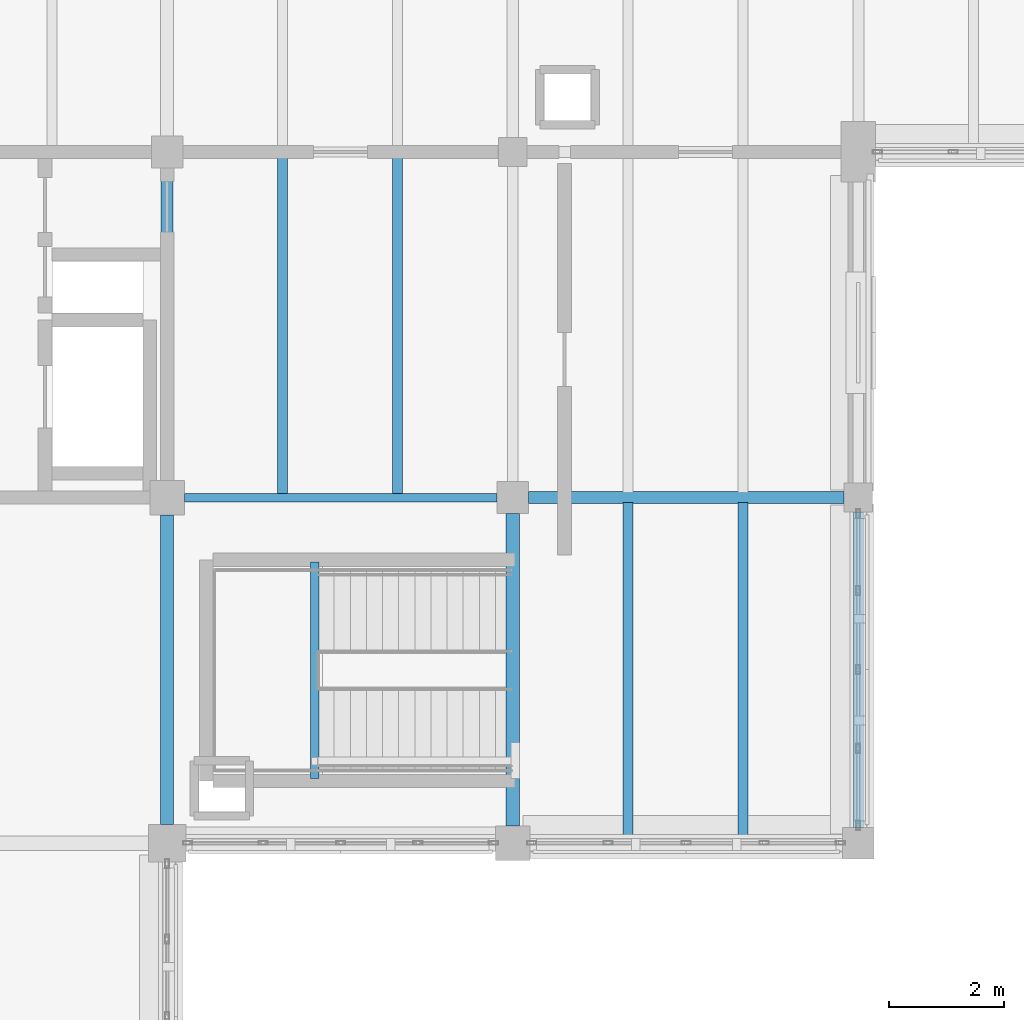
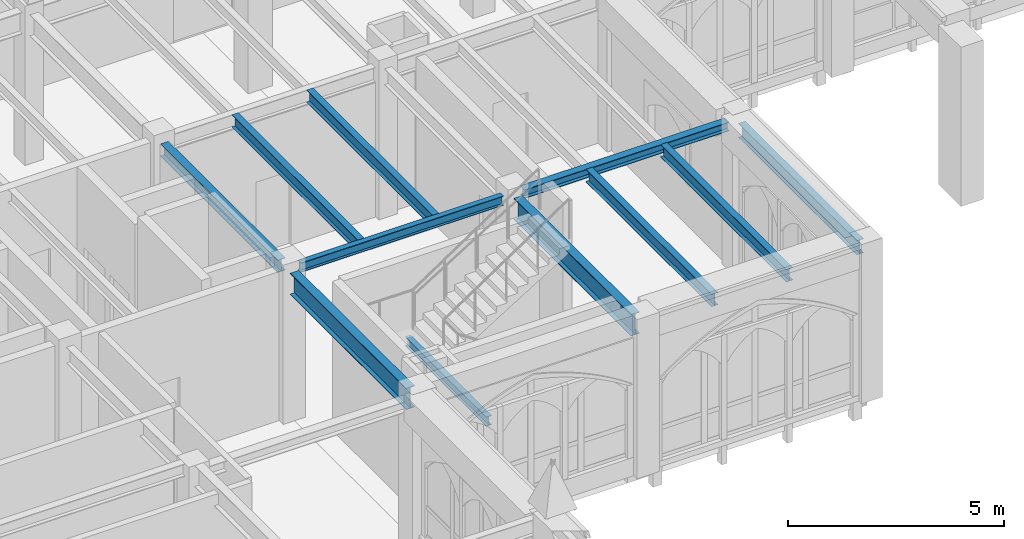
# One storey, part 48 of 143: 11 beams.
"""IFC4 building model written with IfcOpenShell, lengths in metres."""

from ifc_helpers import new_model, si_unit, direction, frame, origin, origin_2d, place, context, subcontext, project, spatial, i_section, extrude, material, material_profile, profile_set, type_object, element, save


model = new_model("IFC4")

# Units and contexts
model_context = context("Model", 3, precision=1e-05, world=origin(), true_north=direction((0.0, 1.0)))
body_context = subcontext(model_context, "Body", "Model", "MODEL_VIEW")
ifc_project = project(units=[si_unit("LENGTHUNIT", "METRE"), si_unit("AREAUNIT", "SQUARE_METRE"), si_unit("VOLUMEUNIT", "CUBIC_METRE"), si_unit("PLANEANGLEUNIT", "RADIAN"), si_unit("MASSUNIT", "GRAM", prefix="KILO")], contexts=[model_context])

# Site, building, storey
site_placement = place(None, origin())
site = spatial("IfcSite", under=ifc_project, at=site_placement, CompositionType="ELEMENT")
building_placement = place(site_placement, origin())
building = spatial("IfcBuilding", under=site, at=building_placement, Name="Cumevento Cable Car Station", CompositionType="ELEMENT")
storey_placement = place(building_placement, frame((0.0, 0.0, 9.0)))
storey = spatial("IfcBuildingStorey", under=building, at=storey_placement, Name="L03", CompositionType="ELEMENT", Elevation=9.0)

# Beams
ifc_material_1 = material(Name="Steel ASTM A572 Grade 50", Category="steel")
ifc_material_profile_1 = material_profile(ifc_material_1, i_section(OverallWidth=0.22802734375, OverallDepth=0.60791015625, WebThickness=0.01123046875, FlangeThickness=0.017333984375, at=origin_2d()), Name="W610x113.0")
ifc_profile_set_1 = profile_set([ifc_material_profile_1], Name="Steel ASTM A572 Grade 50")
beam_type_1 = type_object("IfcBeamType", Name="Structural Beam BM-02 W610x113.0", PredefinedType="BEAM", material=ifc_profile_set_1)
beam_1_placement = place(storey_placement, frame((70.0, 33.324951171875, 3.912109375), z_axis=(0.0, 1.0, 0.0), x_axis=(-1.0, 0.0, 0.0)))
element("IfcBeam", 1, at=beam_1_placement, inside=storey, type_object=beam_type_1, Name="Beam BM-02 L03 #988", PredefinedType="BEAM", context=body_context, shape_type="SweptSolid", body=[
    extrude(i_section(OverallWidth=0.22802734375, OverallDepth=0.60791015625, WebThickness=0.01123046875, FlangeThickness=0.017333984375, at=origin_2d()), origin(), (0.0, 0.0, 1.0), 5.375),
])
beam_2_placement = place(storey_placement, frame((76.0, 33.300048828125, 3.912109375), z_axis=(0.0, 1.0, 0.0), x_axis=(-1.0, 0.0, 0.0)))
element("IfcBeam", 2, at=beam_2_placement, inside=storey, type_object=beam_type_1, Name="Beam BM-02 L03 #1000", PredefinedType="BEAM", context=body_context, shape_type="SweptSolid", body=[
    extrude(i_section(OverallWidth=0.22802734375, OverallDepth=0.60791015625, WebThickness=0.01123046875, FlangeThickness=0.017333984375, at=origin_2d()), origin(), (0.0, 0.0, 1.0), 5.425048828125),
])
ifc_material_2 = material(Name="Steel ASTM A572 Grade 50", Category="steel")
ifc_material_profile_2 = material_profile(ifc_material_2, i_section(OverallWidth=0.205078125, OverallDepth=0.35400390625, WebThickness=0.009521484375, FlangeThickness=0.016845703125, at=origin_2d()), Name="W360x79.0")
ifc_profile_set_2 = profile_set([ifc_material_profile_2], Name="Steel ASTM A572 Grade 50")
beam_type_2 = type_object("IfcBeamType", Name="Structural Beam BM-05 W360x79.0", PredefinedType="BEAM", material=ifc_profile_set_2)
beam_3_placement = place(storey_placement, frame((70.0, 39.300048828125, 4.0390625), z_axis=(0.0, 1.0, 0.0), x_axis=(-1.0, 0.0, 0.0)))
element("IfcBeam", 3, at=beam_3_placement, inside=storey, type_object=beam_type_2, Name="Beam BM-05 L03 #993", PredefinedType="BEAM", context=body_context, shape_type="SweptSolid", body=[
    extrude(i_section(OverallWidth=0.205078125, OverallDepth=0.35400390625, WebThickness=0.009521484375, FlangeThickness=0.016845703125, at=origin_2d()), origin(), (0.0, 0.0, 1.0), 5.425048828125),
])
ifc_material_3 = material(Name="Steel ASTM A572 Grade 50", Category="steel")
ifc_material_profile_3 = material_profile(ifc_material_3, i_section(OverallWidth=0.14794921875, OverallDepth=0.26611328125, WebThickness=0.007568359375, FlangeThickness=0.012939453125, at=origin_2d()), Name="W250x44.8")
ifc_profile_set_3 = profile_set([ifc_material_profile_3], Name="Steel ASTM A572 Grade 50")
beam_type_3 = type_object("IfcBeamType", Name="Structural Beam BM-07 W250x44.8", PredefinedType="BEAM", material=ifc_profile_set_3)
beam_4_placement = place(storey_placement, frame((70.300048828125, 39.0, 4.0830078125), z_axis=(1.0, 0.0, 0.0), x_axis=(0.0, 1.0, 0.0)))
element("IfcBeam", 4, at=beam_4_placement, inside=storey, type_object=beam_type_3, Name="Beam BM-07 L03 #996", PredefinedType="BEAM", context=body_context, shape_type="SweptSolid", body=[
    extrude(i_section(OverallWidth=0.14794921875, OverallDepth=0.26611328125, WebThickness=0.007568359375, FlangeThickness=0.012939453125, at=origin_2d()), origin(), (0.0, 0.0, 1.0), 5.425048828125),
])
beam_5_placement = place(storey_placement, frame((72.56005859375, 34.1201171875, 1.8779296875), z_axis=(0.0, 1.0, 0.0), x_axis=(-1.0, 0.0, 0.0)))
element("IfcBeam", 5, at=beam_5_placement, inside=storey, type_object=beam_type_3, Name="Stair Half-Landing Trimmer ST-11", PredefinedType="BEAM", context=body_context, shape_type="SweptSolid", body=[
    extrude(i_section(OverallWidth=0.14794921875, OverallDepth=0.26611328125, WebThickness=0.007568359375, FlangeThickness=0.012939453125, at=origin_2d()), origin(), (0.0, 0.0, 1.0), 3.759765625),
])
ifc_material_4 = material(Name="Steel ASTM A572 Grade 50", Category="steel")
ifc_material_profile_4 = material_profile(ifc_material_4, i_section(OverallWidth=0.202880859375, OverallDepth=0.251953125, WebThickness=0.008056640625, FlangeThickness=0.013427734375, at=origin_2d()), Name="W250x58.0")
ifc_profile_set_4 = profile_set([ifc_material_profile_4], Name="Steel ASTM A572 Grade 50")
beam_type_4 = type_object("IfcBeamType", Name="Structural Beam BM-08 W250x58.0", PredefinedType="BEAM", material=ifc_profile_set_4)
beam_6_placement = place(storey_placement, frame((76.27490234375, 39.0, 4.090087890625), z_axis=(1.0, 0.0, 0.0), x_axis=(0.0, 1.0, 0.0)))
element("IfcBeam", 6, at=beam_6_placement, inside=storey, type_object=beam_type_4, Name="Beam BM-08 L03 #997", PredefinedType="BEAM", context=body_context, shape_type="SweptSolid", body=[
    extrude(i_section(OverallWidth=0.202880859375, OverallDepth=0.251953125, WebThickness=0.008056640625, FlangeThickness=0.013427734375, at=origin_2d()), origin(), (0.0, 0.0, 1.0), 5.47509765625),
])
ifc_material_5 = material(Name="Steel ASTM A572 Grade 50", Category="steel")
ifc_material_profile_5 = material_profile(ifc_material_5, i_section(OverallWidth=0.1708984375, OverallDepth=0.35498046875, WebThickness=0.007080078125, FlangeThickness=0.01171875, at=origin_2d()), Name="W360x51.0")
ifc_profile_set_5 = profile_set([ifc_material_profile_5], Name="Steel ASTM A572 Grade 50")
beam_type_5 = type_object("IfcBeamType", Name="Structural Joist JS-01 W360x51.0", PredefinedType="JOIST", material=ifc_profile_set_5)
for number, where, z_axis, x_axis, name in (
    (7, (72.0, 39.06201171875, 4.03857421875), (0.0, 1.0, 0.0), (-1.0, 0.0, 0.0), "Composite Floor Joist JS-01 L03 #1203"),
    (8, (74.0, 39.06201171875, 4.03857421875), (0.0, 1.0, 0.0), (-1.0, 0.0, 0.0), "Composite Floor Joist JS-01 L03 #1204"),
):
    element("IfcBeam", number, at=place(storey_placement, frame(where, z_axis=z_axis, x_axis=x_axis)), inside=storey, type_object=beam_type_5, Name=name, PredefinedType="JOIST", context=body_context, shape_type="SweptSolid", body=[
        extrude(i_section(OverallWidth=0.1708984375, OverallDepth=0.35498046875, WebThickness=0.007080078125, FlangeThickness=0.01171875, at=origin_2d()), origin(), (0.0, 0.0, 1.0), 5.860107421875),
    ])
for number, where, z_axis, x_axis, name in (
    (9, (78.0, 33.076904296875, 4.03857421875), (0.0, 1.0, 0.0), (-1.0, 0.0, 0.0), "Composite Floor Joist JS-01 L03 #1205"),
    (10, (80.0, 33.076904296875, 4.03857421875), (0.0, 1.0, 0.0), (-1.0, 0.0, 0.0), "Composite Floor Joist JS-01 L03 #1207"),
):
    element("IfcBeam", number, at=place(storey_placement, frame(where, z_axis=z_axis, x_axis=x_axis)), inside=storey, type_object=beam_type_5, Name=name, PredefinedType="JOIST", context=body_context, shape_type="SweptSolid", body=[
        extrude(i_section(OverallWidth=0.1708984375, OverallDepth=0.35498046875, WebThickness=0.007080078125, FlangeThickness=0.01171875, at=origin_2d()), origin(), (0.0, 0.0, 1.0), 5.83349609375),
    ])
ifc_material_6 = material(Name="Steel ASTM A572 Grade 50", Category="steel")
ifc_material_profile_6 = material_profile(ifc_material_6, i_section(OverallWidth=0.177978515625, OverallDepth=0.406982421875, WebThickness=0.0078125, FlangeThickness=0.0126953125, at=origin_2d()), Name="W410x60.0")
ifc_profile_set_6 = profile_set([ifc_material_profile_6], Name="Steel ASTM A572 Grade 50")
beam_type_6 = type_object("IfcBeamType", Name="Structural Spandrel SP-01 W410x60.0", PredefinedType="SPANDREL", material=ifc_profile_set_6)
beam_7_placement = place(storey_placement, frame((82.0, 33.27490234375, 4.012451171875), z_axis=(0.0, 1.0, 0.0), x_axis=(-1.0, 0.0, 0.0)))
element("IfcBeam", 11, at=beam_7_placement, inside=storey, type_object=beam_type_6, Name="Beam SP-01 L03 #1002", PredefinedType="SPANDREL", context=body_context, shape_type="SweptSolid", body=[
    extrude(i_section(OverallWidth=0.177978515625, OverallDepth=0.406982421875, WebThickness=0.0078125, FlangeThickness=0.0126953125, at=origin_2d()), origin(), (0.0, 0.0, 1.0), 5.47509765625),
])

save(model, "model.ifc")
